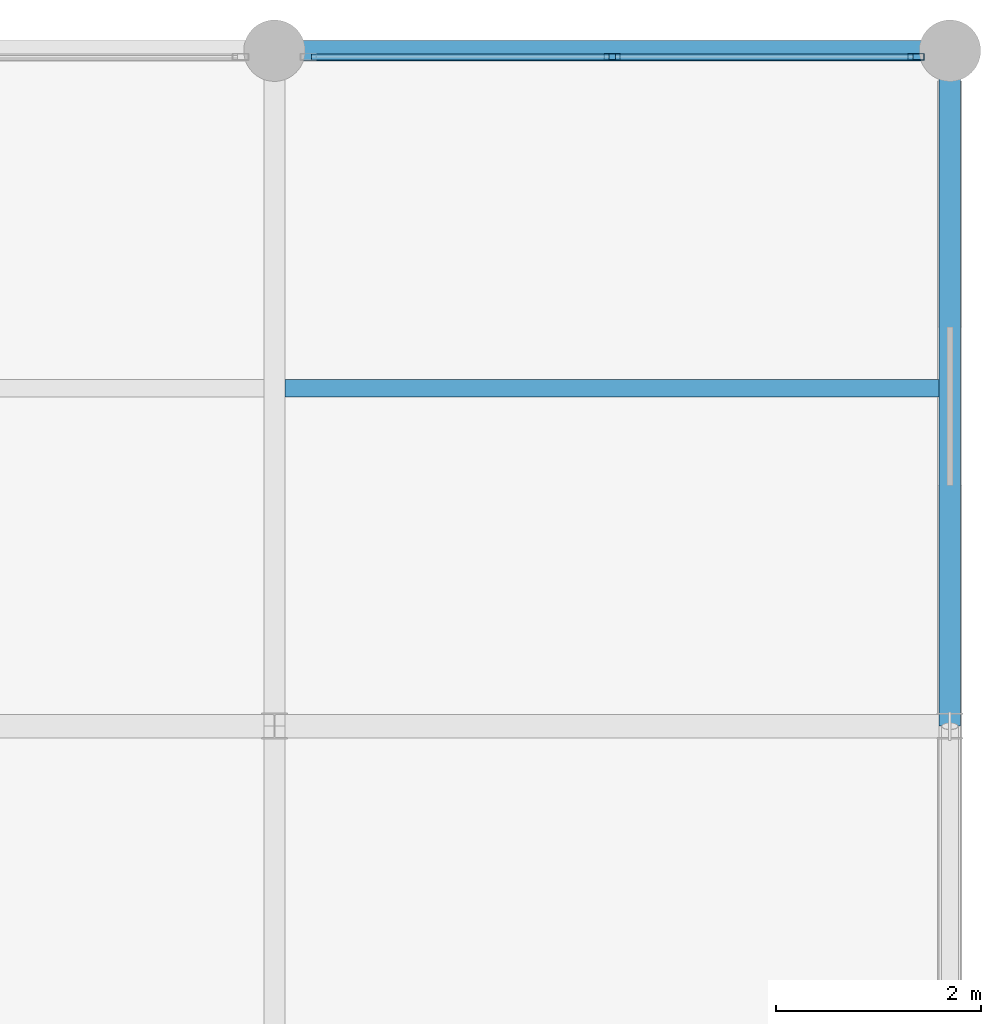
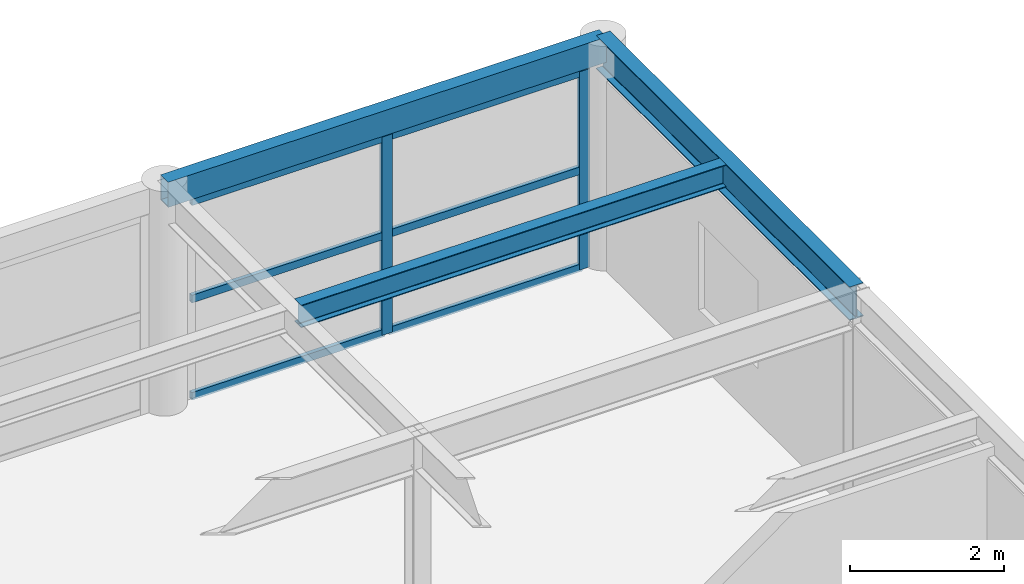
# One storey, part 11 of 17: 8 members, 3 beams, 1 element without a shape of its own.
"""IFC4 building model written with IfcOpenShell, lengths in metres."""

from ifc_helpers import new_model, si_unit, direction, frame, origin, origin_2d, place, context, subcontext, project, spatial, hollow_rectangle, i_section, extrude, material, material_profile, profile_set, type_object, element, aggregate, save


model = new_model("IFC4")

# Units and contexts
model_context = context("Model", 3, precision=1e-05, world=origin(), true_north=direction((0.0, 1.0)))
body_context = subcontext(model_context, "Body", "Model", "MODEL_VIEW")
ifc_project = project(units=[si_unit("LENGTHUNIT", "METRE"), si_unit("AREAUNIT", "SQUARE_METRE"), si_unit("VOLUMEUNIT", "CUBIC_METRE"), si_unit("PLANEANGLEUNIT", "RADIAN"), si_unit("MASSUNIT", "GRAM", prefix="KILO")], contexts=[model_context])

# Site, building, storey
site_placement = place(None, origin())
site = spatial("IfcSite", under=ifc_project, at=site_placement, CompositionType="ELEMENT")
building_placement = place(site_placement, origin())
building = spatial("IfcBuilding", under=site, at=building_placement, Name="Karori Crest Natural Sciences Institute", CompositionType="ELEMENT")
storey_placement = place(building_placement, frame((0.0, 0.0, 38.14990234375)))
storey = spatial("IfcBuildingStorey", under=building, at=storey_placement, Name="L09", CompositionType="ELEMENT", Elevation=38.14990234375)

# Beams
ifc_material_1 = material(Name="Structural steel AS/NZS 3679.1 Grade 350", Category="steel")
ifc_material_profile_1 = material_profile(ifc_material_1, i_section(OverallWidth=0.208984375, OverallDepth=0.532958984375, WebThickness=0.01025390625, FlangeThickness=0.015625, FilletRadius=0.013916015625, at=origin_2d()), Name="530UB92.4")
ifc_profile_set_1 = profile_set([ifc_material_profile_1], Name="Structural steel AS/NZS 3679.1 Grade 350")
beam_type_1 = type_object("IfcBeamType", Name="BT-05-EL", PredefinedType="BEAM", material=ifc_profile_set_1)
beam_1_placement = place(storey_placement, frame((149.800048828125, 14.0, 3.3037109375), z_axis=(0.0, 1.0, 0.0), x_axis=(-1.0, 0.0, 0.0)))
element("IfcBeam", 1, at=beam_1_placement, inside=storey, type_object=beam_type_1, Name="Beam B-2811", PredefinedType="BEAM", context=body_context, shape_type="SweptSolid", body=[
    extrude(i_section(OverallWidth=0.208984375, OverallDepth=0.532958984375, WebThickness=0.01025390625, FlangeThickness=0.015625, FilletRadius=0.013916015625, at=origin_2d()), origin(), (0.0, 0.0, 1.0), 6.60009765625),
])
ifc_material_profile_2 = material_profile(ifc_material_1, i_section(OverallWidth=0.172119140625, OverallDepth=0.35888671875, WebThickness=0.008056640625, FlangeThickness=0.012939453125, FilletRadius=0.010986328125, at=origin_2d()), Name="360UB56.7")
ifc_profile_set_2 = profile_set([ifc_material_profile_2], Name="Structural steel AS/NZS 3679.1 Grade 350")
beam_type_2 = type_object("IfcBeamType", Name="BT-08", PredefinedType="BEAM", material=ifc_profile_set_2)
beam_2_placement = place(storey_placement, frame((143.304443359375, 17.300048828125, 3.390625), z_axis=(1.0, 0.0, 0.0), x_axis=(0.0, 1.0, 0.0)))
element("IfcBeam", 2, at=beam_2_placement, inside=storey, type_object=beam_type_2, Name="Beam B-2828", PredefinedType="BEAM", context=body_context, shape_type="SweptSolid", body=[
    extrude(i_section(OverallWidth=0.172119140625, OverallDepth=0.35888671875, WebThickness=0.008056640625, FlangeThickness=0.012939453125, FilletRadius=0.010986328125, at=origin_2d()), origin(), (0.0, 0.0, 1.0), 6.39111328125),
])
ifc_material_2 = material(Name="Hollow structural steel AS/NZS 1163 Grade C350", Category="steel")
ifc_material_profile_3 = material_profile(ifc_material_2, hollow_rectangle(XDim=0.199951171875, YDim=0.39990234375, WallThickness=0.012451171875, at=origin_2d()), Name="RHS400x200x12.5")
ifc_profile_set_3 = profile_set([ifc_material_profile_3], Name="Hollow structural steel AS/NZS 1163 Grade C350")
beam_type_3 = type_object("IfcBeamType", Name="BT-14", PredefinedType="SPANDREL", material=ifc_profile_set_3)
beam_3_placement = place(storey_placement, frame((143.199951171875, 20.60009765625, 3.3701171875), z_axis=(1.0, 0.0, 0.0), x_axis=(0.0, 1.0, 0.0)))
element("IfcBeam", 3, at=beam_3_placement, inside=storey, type_object=beam_type_3, Name="Beam B-2787", PredefinedType="SPANDREL", context=body_context, shape_type="SweptSolid", body=[
    extrude(hollow_rectangle(XDim=0.199951171875, YDim=0.39990234375, WallThickness=0.012451171875, at=origin_2d()), origin(), (0.0, 0.0, 1.0), 6.60009765625),
])

# Curtain wall, members
ifc_material_3 = material(Name="Anodised architectural aluminium 6063-T6", Category="aluminium")
curtain_wall_type = type_object("IfcCurtainWallType", Name="CWT-20", PredefinedType="NOTDEFINED", material=ifc_material_3)
curtain_wall_placement = place(storey_placement, origin())
curtain_wall = element("IfcCurtainWall", 4, at=curtain_wall_placement, inside=storey, type_object=curtain_wall_type, Name="Curtain wall CW-0378", PredefinedType="NOTDEFINED")
ifc_material_profile_4 = material_profile(ifc_material_3, hollow_rectangle(XDim=0.06494140625, YDim=0.159912109375, WallThickness=0.00390625, at=origin_2d()), Name="CWM160x65x4")
ifc_profile_set_4 = profile_set([ifc_material_profile_4], Name="Anodised architectural aluminium 6063-T6")
member_type_1 = type_object("IfcMemberType", Name="CWM-01", PredefinedType="MULLION", material=ifc_profile_set_4)
member_1_placement = place(storey_placement, frame((146.5, 20.5400390625, 0.0), z_axis=(0.0, 0.0, 1.0), x_axis=(0.0, 1.0, 0.0)))
member_1 = element("IfcMember", 5, at=member_1_placement, type_object=member_type_1, Name="CW-0378 mullion 2", PredefinedType="MULLION", context=body_context, shape_type="SweptSolid", body=[
    extrude(hollow_rectangle(XDim=0.06494140625, YDim=0.159912109375, WallThickness=0.00390625, at=origin_2d()), origin(), (0.0, 0.0, 1.0), 3.155029296875),
])
member_2_placement = place(storey_placement, frame((149.469482421875, 20.5400390625, 0.0), z_axis=(0.0, 0.0, 1.0), x_axis=(0.0, 1.0, 0.0)))
member_2 = element("IfcMember", 6, at=member_2_placement, type_object=member_type_1, Name="CW-0378 mullion 3", PredefinedType="MULLION", context=body_context, shape_type="SweptSolid", body=[
    extrude(hollow_rectangle(XDim=0.06494140625, YDim=0.159912109375, WallThickness=0.00390625, at=origin_2d()), origin(), (0.0, 0.0, 1.0), 3.155029296875),
])
ifc_material_profile_5 = material_profile(ifc_material_3, hollow_rectangle(XDim=0.06005859375, YDim=0.1201171875, WallThickness=0.00390625, at=origin_2d()), Name="CWT120x60x4")
ifc_profile_set_5 = profile_set([ifc_material_profile_5], Name="Anodised architectural aluminium 6063-T6")
member_type_2 = type_object("IfcMemberType", Name="CWT-TR1", PredefinedType="USERDEFINED", material=ifc_profile_set_5)
member_3_placement = place(storey_placement, frame((143.56298828125, 20.5400390625, 0.030029296875), z_axis=(1.0, 0.0, 0.0), x_axis=(0.0, 1.0, 0.0)))
member_3 = element("IfcMember", 7, at=member_3_placement, type_object=member_type_2, Name="CW-0378 transom 1.1", ObjectType="TRANSOM", PredefinedType="USERDEFINED", context=body_context, shape_type="SweptSolid", body=[
    extrude(hollow_rectangle(XDim=0.06005859375, YDim=0.1201171875, WallThickness=0.00390625, at=origin_2d()), origin(), (0.0, 0.0, 1.0), 2.904541015625),
])
member_4_placement = place(storey_placement, frame((143.56298828125, 20.5400390625, 1.57763671875), z_axis=(1.0, 0.0, 0.0), x_axis=(0.0, 1.0, 0.0)))
member_4 = element("IfcMember", 8, at=member_4_placement, type_object=member_type_2, Name="CW-0378 transom 1.2", ObjectType="TRANSOM", PredefinedType="USERDEFINED", context=body_context, shape_type="SweptSolid", body=[
    extrude(hollow_rectangle(XDim=0.06005859375, YDim=0.1201171875, WallThickness=0.00390625, at=origin_2d()), origin(), (0.0, 0.0, 1.0), 2.904541015625),
])
member_5_placement = place(storey_placement, frame((143.56298828125, 20.5400390625, 3.125), z_axis=(1.0, 0.0, 0.0), x_axis=(0.0, 1.0, 0.0)))
member_5 = element("IfcMember", 9, at=member_5_placement, type_object=member_type_2, Name="CW-0378 transom 1.3", ObjectType="TRANSOM", PredefinedType="USERDEFINED", context=body_context, shape_type="SweptSolid", body=[
    extrude(hollow_rectangle(XDim=0.06005859375, YDim=0.1201171875, WallThickness=0.00390625, at=origin_2d()), origin(), (0.0, 0.0, 1.0), 2.904541015625),
])
member_6_placement = place(storey_placement, frame((146.532470703125, 20.5400390625, 0.030029296875), z_axis=(1.0, 0.0, 0.0), x_axis=(0.0, 1.0, 0.0)))
member_6 = element("IfcMember", 10, at=member_6_placement, type_object=member_type_2, Name="CW-0378 transom 2.1", ObjectType="TRANSOM", PredefinedType="USERDEFINED", context=body_context, shape_type="SweptSolid", body=[
    extrude(hollow_rectangle(XDim=0.06005859375, YDim=0.1201171875, WallThickness=0.00390625, at=origin_2d()), origin(), (0.0, 0.0, 1.0), 2.904541015625),
])
member_7_placement = place(storey_placement, frame((146.532470703125, 20.5400390625, 1.57763671875), z_axis=(1.0, 0.0, 0.0), x_axis=(0.0, 1.0, 0.0)))
member_7 = element("IfcMember", 11, at=member_7_placement, type_object=member_type_2, Name="CW-0378 transom 2.2", ObjectType="TRANSOM", PredefinedType="USERDEFINED", context=body_context, shape_type="SweptSolid", body=[
    extrude(hollow_rectangle(XDim=0.06005859375, YDim=0.1201171875, WallThickness=0.00390625, at=origin_2d()), origin(), (0.0, 0.0, 1.0), 2.904541015625),
])
member_8_placement = place(storey_placement, frame((146.532470703125, 20.5400390625, 3.125), z_axis=(1.0, 0.0, 0.0), x_axis=(0.0, 1.0, 0.0)))
member_8 = element("IfcMember", 12, at=member_8_placement, type_object=member_type_2, Name="CW-0378 transom 2.3", ObjectType="TRANSOM", PredefinedType="USERDEFINED", context=body_context, shape_type="SweptSolid", body=[
    extrude(hollow_rectangle(XDim=0.06005859375, YDim=0.1201171875, WallThickness=0.00390625, at=origin_2d()), origin(), (0.0, 0.0, 1.0), 2.904541015625),
])
aggregate(curtain_wall, [member_1, member_2, member_3, member_4, member_5, member_6, member_7, member_8])

save(model, "model.ifc")
